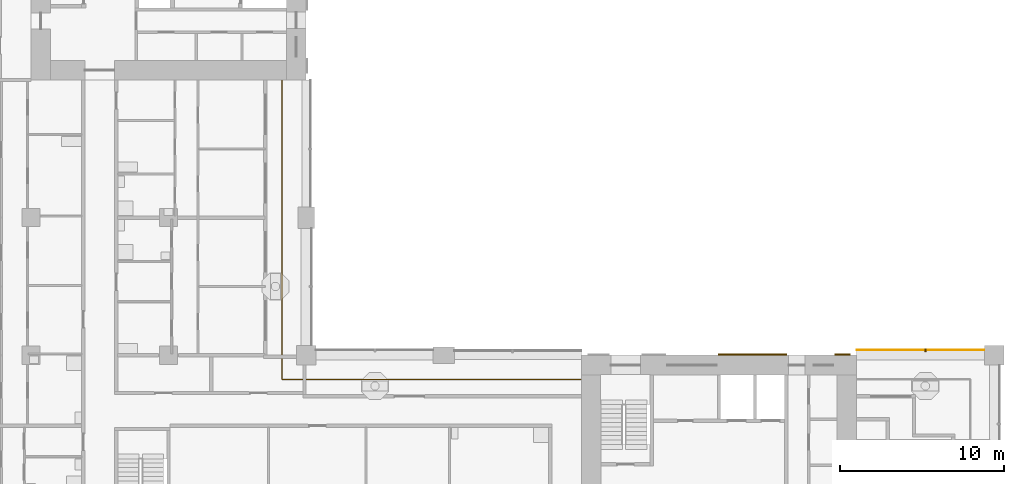
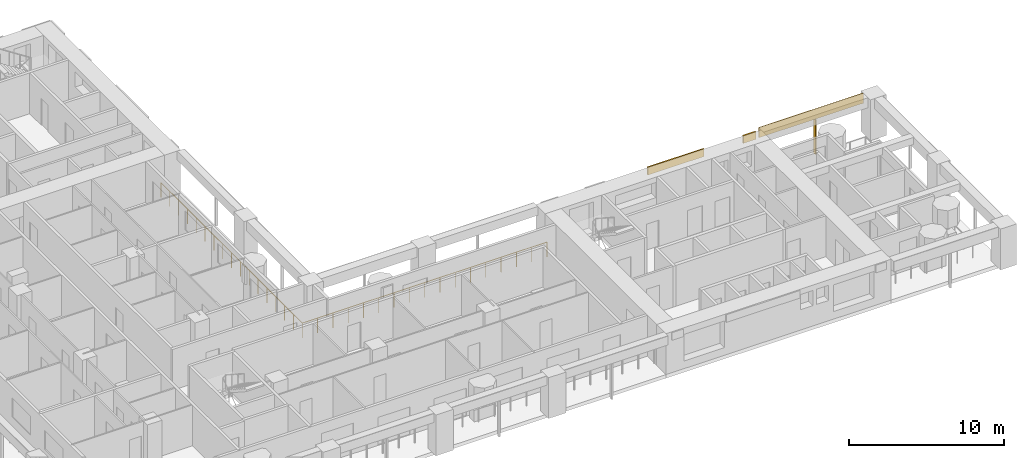
# One storey, part 13 of 18: 4 shading devices, 1 railing.
"""IFC4 building model written with IfcOpenShell, lengths in metres."""

from ifc_helpers import new_model, si_unit, direction, frame, origin, origin_2d, place, context, subcontext, project, spatial, rectangle, circle, extrude, material, layer, layer_set, material_profile, profile_set, type_object, element, save


model = new_model("IFC4")

# Units and contexts
model_context = context("Model", 3, precision=1e-05, world=origin(), true_north=direction((0.0, 1.0)))
body_context = subcontext(model_context, "Body", "Model", "MODEL_VIEW")
ifc_project = project(units=[si_unit("LENGTHUNIT", "METRE"), si_unit("AREAUNIT", "SQUARE_METRE"), si_unit("VOLUMEUNIT", "CUBIC_METRE"), si_unit("PLANEANGLEUNIT", "RADIAN"), si_unit("MASSUNIT", "GRAM", prefix="KILO")], contexts=[model_context])

# Site, building, storey
site_placement = place(None, origin())
site = spatial("IfcSite", under=ifc_project, at=site_placement, CompositionType="ELEMENT")
building_placement = place(site_placement, origin())
building = spatial("IfcBuilding", under=site, at=building_placement, Name="Vermilion Gate Residences", CompositionType="ELEMENT")
storey_placement = place(building_placement, frame((0.0, 0.0, 88.199951171875)))
storey = spatial("IfcBuildingStorey", under=building, at=storey_placement, Name="L21", CompositionType="ELEMENT", Elevation=88.199951171875)

# Railing
ifc_material_1 = material(Name="Stainless steel and toughened glass", Category="steel")
railing_type = type_object("IfcRailingType", Name="LOGGIA GUARD STEEL AND GLASS 1200", PredefinedType="GUARDRAIL", material=ifc_material_1)
railing_placement = place(storey_placement, frame((41.97802734375, 23.72509765625, 0.0)))
element("IfcRailing", 1, at=railing_placement, inside=storey, type_object=railing_type, Name="Loggia guard", PredefinedType="GUARDRAIL", context=body_context, shape_type="SweptSolid", body=[
    extrude(circle(Radius=0.030029296875, at=origin_2d()), frame((0.0, 0.0, 1.169921875), z_axis=(-1.0, 0.0, 0.0), x_axis=(0.0, -1.0, 0.0)), (0.0, 0.0, 1.0), 18.2529296875),
    extrude(circle(Radius=0.030029296875, at=origin_2d()), frame((-18.2529296875, 0.0, 1.169921875), z_axis=(0.0, 1.0, 0.0), x_axis=(-1.0, 0.0, 0.0)), (0.0, 0.0, 1.0), 18.2529296875),
    extrude(circle(Radius=0.02490234375, at=origin_2d()), origin(), (0.0, 0.0, 1.0), 1.139892578125),
    extrude(circle(Radius=0.02490234375, at=origin_2d()), frame((-1.140869140625, 0.0, 0.0)), (0.0, 0.0, 1.0), 1.139892578125),
    extrude(circle(Radius=0.02490234375, at=origin_2d()), frame((-2.28173828125, 0.0, 0.0)), (0.0, 0.0, 1.0), 1.139892578125),
    extrude(circle(Radius=0.02490234375, at=origin_2d()), frame((-3.42236328125, 0.0, 0.0)), (0.0, 0.0, 1.0), 1.139892578125),
    extrude(circle(Radius=0.02490234375, at=origin_2d()), frame((-4.563232421875, 0.0, 0.0)), (0.0, 0.0, 1.0), 1.139892578125),
    extrude(circle(Radius=0.02490234375, at=origin_2d()), frame((-5.7041015625, 0.0, 0.0)), (0.0, 0.0, 1.0), 1.139892578125),
    extrude(circle(Radius=0.02490234375, at=origin_2d()), frame((-6.8447265625, 0.0, 0.0)), (0.0, 0.0, 1.0), 1.139892578125),
    extrude(circle(Radius=0.02490234375, at=origin_2d()), frame((-7.985595703125, 0.0, 0.0)), (0.0, 0.0, 1.0), 1.139892578125),
    extrude(circle(Radius=0.02490234375, at=origin_2d()), frame((-9.12646484375, 0.0, 0.0)), (0.0, 0.0, 1.0), 1.139892578125),
    extrude(circle(Radius=0.02490234375, at=origin_2d()), frame((-10.267333984375, 0.0, 0.0)), (0.0, 0.0, 1.0), 1.139892578125),
    extrude(circle(Radius=0.02490234375, at=origin_2d()), frame((-11.408203125, 0.0, 0.0)), (0.0, 0.0, 1.0), 1.139892578125),
    extrude(circle(Radius=0.02490234375, at=origin_2d()), frame((-12.548828125, 0.0, 0.0)), (0.0, 0.0, 1.0), 1.139892578125),
    extrude(circle(Radius=0.02490234375, at=origin_2d()), frame((-13.689697265625, 0.0, 0.0)), (0.0, 0.0, 1.0), 1.139892578125),
    extrude(circle(Radius=0.02490234375, at=origin_2d()), frame((-14.83056640625, 0.0, 0.0)), (0.0, 0.0, 1.0), 1.139892578125),
    extrude(circle(Radius=0.02490234375, at=origin_2d()), frame((-15.97119140625, 0.0, 0.0)), (0.0, 0.0, 1.0), 1.139892578125),
    extrude(circle(Radius=0.02490234375, at=origin_2d()), frame((-17.112060546875, 0.0, 0.0)), (0.0, 0.0, 1.0), 1.139892578125),
    extrude(circle(Radius=0.02490234375, at=origin_2d()), frame((-18.2529296875, 0.0, 0.0)), (0.0, 0.0, 1.0), 1.139892578125),
    extrude(circle(Radius=0.02490234375, at=origin_2d()), frame((-18.2529296875, 1.140869140625, 0.0)), (0.0, 0.0, 1.0), 1.139892578125),
    extrude(circle(Radius=0.02490234375, at=origin_2d()), frame((-18.2529296875, 2.28173828125, 0.0)), (0.0, 0.0, 1.0), 1.139892578125),
    extrude(circle(Radius=0.02490234375, at=origin_2d()), frame((-18.2529296875, 3.42236328125, 0.0)), (0.0, 0.0, 1.0), 1.139892578125),
    extrude(circle(Radius=0.02490234375, at=origin_2d()), frame((-18.2529296875, 4.563232421875, 0.0)), (0.0, 0.0, 1.0), 1.139892578125),
    extrude(circle(Radius=0.02490234375, at=origin_2d()), frame((-18.2529296875, 5.7041015625, 0.0)), (0.0, 0.0, 1.0), 1.139892578125),
    extrude(circle(Radius=0.02490234375, at=origin_2d()), frame((-18.2529296875, 6.8447265625, 0.0)), (0.0, 0.0, 1.0), 1.139892578125),
    extrude(circle(Radius=0.02490234375, at=origin_2d()), frame((-18.2529296875, 7.985595703125, 0.0)), (0.0, 0.0, 1.0), 1.139892578125),
    extrude(circle(Radius=0.02490234375, at=origin_2d()), frame((-18.2529296875, 9.12646484375, 0.0)), (0.0, 0.0, 1.0), 1.139892578125),
    extrude(circle(Radius=0.02490234375, at=origin_2d()), frame((-18.2529296875, 10.267333984375, 0.0)), (0.0, 0.0, 1.0), 1.139892578125),
    extrude(circle(Radius=0.02490234375, at=origin_2d()), frame((-18.2529296875, 11.408203125, 0.0)), (0.0, 0.0, 1.0), 1.139892578125),
    extrude(circle(Radius=0.02490234375, at=origin_2d()), frame((-18.2529296875, 12.548828125, 0.0)), (0.0, 0.0, 1.0), 1.139892578125),
    extrude(circle(Radius=0.02490234375, at=origin_2d()), frame((-18.2529296875, 13.689697265625, 0.0)), (0.0, 0.0, 1.0), 1.139892578125),
    extrude(circle(Radius=0.02490234375, at=origin_2d()), frame((-18.2529296875, 14.83056640625, 0.0)), (0.0, 0.0, 1.0), 1.139892578125),
    extrude(circle(Radius=0.02490234375, at=origin_2d()), frame((-18.2529296875, 15.97119140625, 0.0)), (0.0, 0.0, 1.0), 1.139892578125),
    extrude(circle(Radius=0.02490234375, at=origin_2d()), frame((-18.2529296875, 17.112060546875, 0.0)), (0.0, 0.0, 1.0), 1.139892578125),
    extrude(circle(Radius=0.02490234375, at=origin_2d()), frame((-18.2529296875, 18.2529296875, 0.0)), (0.0, 0.0, 1.0), 1.139892578125),
])

# Shading devices
ifc_material_2 = material(Name="Perforated terracotta", Category="masonry")
ifc_layer_1 = layer(ifc_material_2, 0.0400390625)
ifc_layer_set_1 = layer_set([ifc_layer_1], Name="PERFORATED TERRACOTTA SCREEN 40")
shading_device_type_1 = type_object("IfcShadingDeviceType", Name="PERFORATED TERRACOTTA SCREEN 40", PredefinedType="SHUTTER", material=ifc_layer_set_1)
shading_device_1_placement = place(storey_placement, frame((62.699951171875, 25.52001953125, 2.419921875), z_axis=(0.0, 0.0, 1.0), x_axis=(-1.0, 0.0, 0.0)))
element("IfcShadingDevice", 2, at=shading_device_1_placement, inside=storey, type_object=shading_device_type_1, Name="SCREEN", PredefinedType="SHUTTER", context=body_context, shape_type="SweptSolid", body=[
    extrude(rectangle(XDim=7.800048828125, YDim=0.0400390625, at=origin_2d()), origin(), (0.0, 0.0, 1.0), 0.800048828125),
])
ifc_material_3 = material(Name="Extruded terracotta", Category="masonry")
ifc_material_profile = material_profile(ifc_material_3, rectangle(XDim=0.199951171875, YDim=0.10009765625, at=origin_2d()), Name="BAGUETTE 100 X 200")
ifc_profile_set = profile_set([ifc_material_profile], Name="Extruded terracotta")
shading_device_type_2 = type_object("IfcShadingDeviceType", Name="TERRACOTTA BAGUETTE 100 X 200", PredefinedType="JALOUSIE", material=ifc_profile_set)
shading_device_2_placement = place(storey_placement, frame((63.0, 25.5, -0.280029296875), z_axis=(0.0, 0.0, 1.0), x_axis=(0.0, -1.0, 0.0)))
element("IfcShadingDevice", 3, at=shading_device_2_placement, inside=storey, type_object=shading_device_type_2, Name="BAGUETTE", PredefinedType="JALOUSIE", context=body_context, shape_type="SweptSolid", body=[
    extrude(rectangle(XDim=0.199951171875, YDim=0.10009765625, at=origin_2d()), origin(), (0.0, 0.0, 1.0), 2.7001953125),
])
ifc_material_4 = material(Name="Extruded terracotta", Category="masonry")
ifc_layer_2 = layer(ifc_material_4, 0.10009765625)
ifc_layer_set_2 = layer_set([ifc_layer_2], Name="TERRACOTTA SPANDREL BAND 600 X 100")
shading_device_type_3 = type_object("IfcShadingDeviceType", Name="TERRACOTTA SPANDREL BAND 600 X 100", PredefinedType="USERDEFINED", material=ifc_layer_set_2)
shading_device_3_placement = place(storey_placement, frame((52.449951171875, 25.25, 2.6201171875), z_axis=(0.0, 0.0, 1.0), x_axis=(1.0, 0.0, 0.0)))
element("IfcShadingDevice", 4, at=shading_device_3_placement, inside=storey, type_object=shading_device_type_3, Name="SPANDREL BAND", ObjectType="BAND", PredefinedType="USERDEFINED", context=body_context, shape_type="SweptSolid", body=[
    extrude(rectangle(XDim=4.199951171875, YDim=0.10009765625, at=origin_2d()), origin(), (0.0, 0.0, 1.0), 0.60009765625),
])
shading_device_4_placement = place(storey_placement, frame((57.9375, 25.25, 2.6201171875), z_axis=(0.0, 0.0, 1.0), x_axis=(1.0, 0.0, 0.0)))
element("IfcShadingDevice", 5, at=shading_device_4_placement, inside=storey, type_object=shading_device_type_3, Name="SPANDREL BAND", ObjectType="BAND", PredefinedType="USERDEFINED", context=body_context, shape_type="SweptSolid", body=[
    extrude(rectangle(XDim=0.925048828125, YDim=0.10009765625, at=origin_2d()), origin(), (0.0, 0.0, 1.0), 0.60009765625),
])

save(model, "model.ifc")
